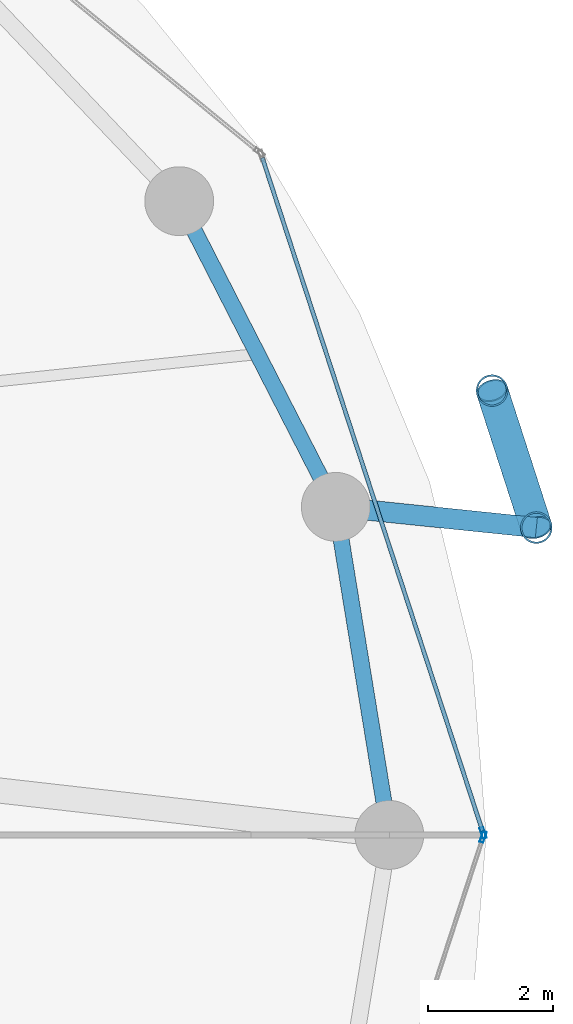
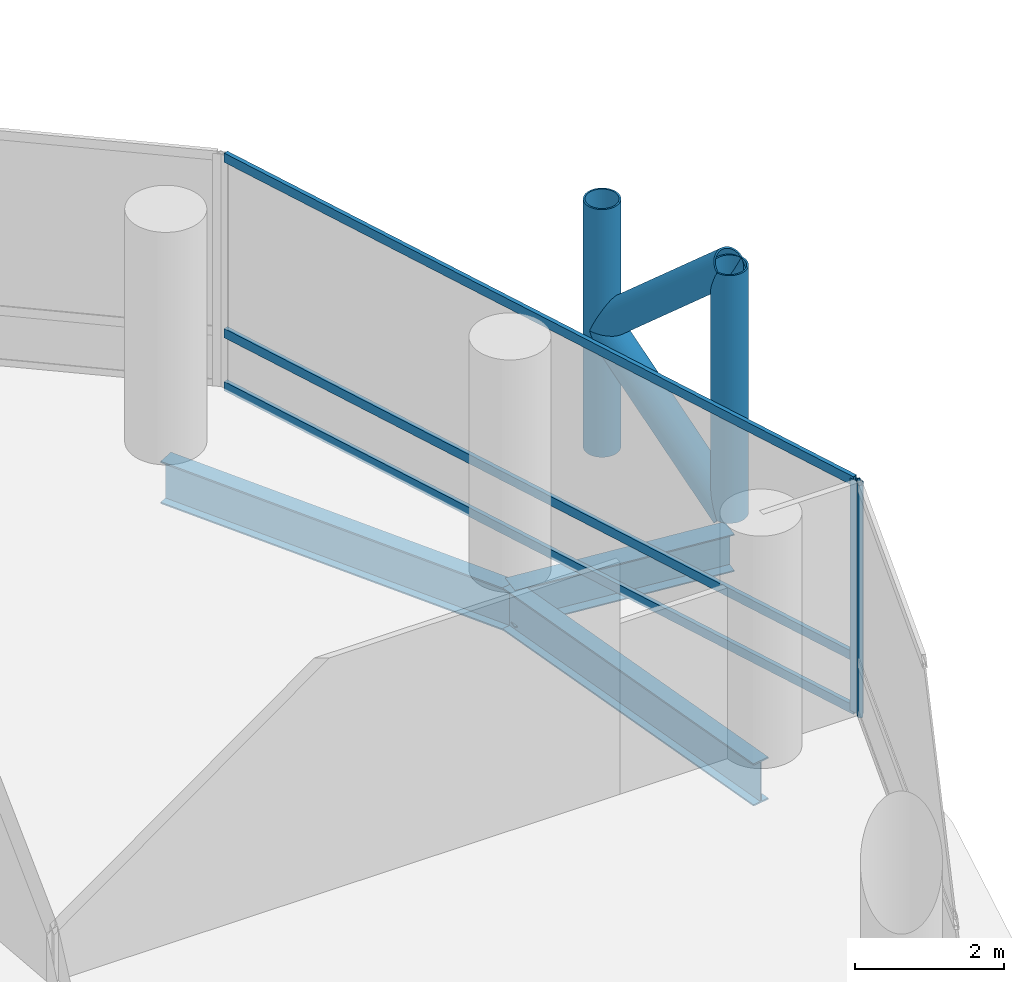
# One storey, part 12 of 25: 9 members, 3 beams, 2 elements without a shape of their own.
"""IFC4 building model written with IfcOpenShell, lengths in metres."""

from ifc_helpers import new_model, si_unit, direction, frame, origin, origin_2d, place, context, subcontext, project, spatial, hollow_rectangle, hollow_circle, i_section, extrude, material, layer, layer_set, material_profile, profile_set, type_object, element, aggregate, save


model = new_model("IFC4")

# Units and contexts
model_context = context("Model", 3, precision=1e-05, world=origin(), true_north=direction((0.0, 1.0)))
body_context = subcontext(model_context, "Body", "Model", "MODEL_VIEW")
ifc_project = project(units=[si_unit("LENGTHUNIT", "METRE"), si_unit("AREAUNIT", "SQUARE_METRE"), si_unit("VOLUMEUNIT", "CUBIC_METRE"), si_unit("PLANEANGLEUNIT", "RADIAN"), si_unit("MASSUNIT", "GRAM", prefix="KILO")], contexts=[model_context])

# Site, building, storey
site_placement = place(None, origin())
site = spatial("IfcSite", under=ifc_project, at=site_placement, CompositionType="ELEMENT")
building_placement = place(site_placement, origin())
building = spatial("IfcBuilding", under=site, at=building_placement, Name="Nuhasar Tower", CompositionType="ELEMENT")
storey_placement = place(building_placement, frame((0.0, 0.0, 65.550048828125)))
storey = spatial("IfcBuildingStorey", under=building, at=storey_placement, Name="L15", CompositionType="ELEMENT", Elevation=65.550048828125)

# Beams
ifc_material_1 = material(Name="Steel S355", Category="steel")
ifc_material_profile_1 = material_profile(ifc_material_1, i_section(OverallWidth=0.256103515625, OverallDepth=0.693115234375, WebThickness=0.014404296875, FlangeThickness=0.023681640625, at=origin_2d()), Name="W27X114")
ifc_profile_set_1 = profile_set([ifc_material_profile_1], Name="Steel S355")
beam_type_1 = type_object("IfcBeamType", Name="BM-RING-W27X114", PredefinedType="SPANDREL", material=ifc_profile_set_1)
beam_1_placement = place(storey_placement, frame((64.050048828125, 26.800048828125, -0.59716796875), z_axis=(-0.160826635486, 0.986982671235, 0.0), x_axis=(-0.986982671235, -0.160826635486, 0.0)))
element("IfcBeam", 1, at=beam_1_placement, inside=storey, type_object=beam_type_1, Name="L15 Perimeter Ring Spandrel 01", PredefinedType="SPANDREL", context=body_context, shape_type="SweptSolid", body=[
    extrude(i_section(OverallWidth=0.256103515625, OverallDepth=0.693115234375, WebThickness=0.014404296875, FlangeThickness=0.023681640625, at=origin_2d()), origin(), (0.0, 0.0, 1.0), 5.31005859375),
])
beam_2_placement = place(storey_placement, frame((63.196044921875, 32.041015625, -0.59716796875), z_axis=(-0.455930023905, 0.890015625314, 0.0), x_axis=(-0.890015625314, -0.455930023905, 0.0)))
element("IfcBeam", 2, at=beam_2_placement, inside=storey, type_object=beam_type_1, Name="L15 Perimeter Ring Spandrel 02", PredefinedType="SPANDREL", context=body_context, shape_type="SweptSolid", body=[
    extrude(i_section(OverallWidth=0.256103515625, OverallDepth=0.693115234375, WebThickness=0.014404296875, FlangeThickness=0.023681640625, at=origin_2d()), origin(), (0.0, 0.0, 1.0), 5.487548828125),
])
ifc_material_profile_2 = material_profile(ifc_material_1, i_section(OverallWidth=0.323974609375, OverallDepth=0.611083984375, WebThickness=0.0126953125, FlangeThickness=0.01904296875, at=origin_2d()), Name="W24X104")
ifc_profile_set_2 = profile_set([ifc_material_profile_2], Name="Steel S355")
beam_type_2 = type_object("IfcBeamType", Name="BM-TIE-W24X104", PredefinedType="BEAM", material=ifc_profile_set_2)
beam_3_placement = place(storey_placement, frame((63.196044921875, 32.041015625, -0.554931640625), z_axis=(0.994703825606, -0.102782777377, 0.0), x_axis=(0.102782777377, 0.994703825606, 0.0)))
element("IfcBeam", 3, at=beam_3_placement, inside=storey, type_object=beam_type_2, Name="L15 Exoskeleton Node Tie Beam 01", PredefinedType="BEAM", context=body_context, shape_type="SweptSolid", body=[
    extrude(i_section(OverallWidth=0.323974609375, OverallDepth=0.611083984375, WebThickness=0.0126953125, FlangeThickness=0.01904296875, at=origin_2d()), origin(), (0.0, 0.0, 1.0), 3.220947265625),
])

# Curtain wall, member
ifc_material_2 = material(Name="Aluminium 6063-T6", Category="aluminium")
ifc_layer = layer(ifc_material_2, 0.199951171875)
ifc_layer_set = layer_set([ifc_layer], Name="Aluminium 6063-T6")
curtain_wall_type = type_object("IfcCurtainWallType", Name="CW-Z1-OFF", PredefinedType="NOTDEFINED", material=ifc_layer_set)
curtain_wall_1_placement = place(storey_placement, origin())
curtain_wall_1 = element("IfcCurtainWall", 4, at=curtain_wall_1_placement, inside=storey, type_object=curtain_wall_type, Name="L15 Unitised Curtain Wall 01", PredefinedType="NOTDEFINED")
ifc_material_profile_3 = material_profile(ifc_material_2, hollow_rectangle(XDim=0.06494140625, YDim=0.179931640625, WallThickness=0.0048828125, at=origin_2d()), Name="CWM-2")
ifc_profile_set_3 = profile_set([ifc_material_profile_3], Name="Aluminium 6063-T6")
member_type_1 = type_object("IfcMemberType", Name="CW-MUL-S2", PredefinedType="MULLION", material=ifc_profile_set_3)
member_1_placement = place(storey_placement, frame((65.5498046875, 26.830810546875, 0.0), z_axis=(0.0, 0.0, 1.0), x_axis=(-0.950467534571, -0.310823849997, 0.0)))
member_1 = element("IfcMember", 5, at=member_1_placement, type_object=member_type_1, Name="CW-Z1 mullion 1", PredefinedType="MULLION", context=body_context, shape_type="SweptSolid", body=[
    extrude(hollow_rectangle(XDim=0.06494140625, YDim=0.179931640625, WallThickness=0.0048828125, at=origin_2d()), origin(), (0.0, 0.0, 1.0), 3.800048828125),
])

curtain_wall_2_placement = place(storey_placement, origin())
curtain_wall_2 = element("IfcCurtainWall", 6, at=curtain_wall_2_placement, inside=storey, type_object=curtain_wall_type, Name="L15 Unitised Curtain Wall 12", PredefinedType="NOTDEFINED")
member_2_placement = place(storey_placement, frame((65.5498046875, 26.76904296875, 0.0), z_axis=(0.0, 0.0, 1.0), x_axis=(-0.950467534571, 0.310823849997, 0.0)))
member_2 = element("IfcMember", 7, at=member_2_placement, type_object=member_type_1, Name="CW-Z1 mullion 2", PredefinedType="MULLION", context=body_context, shape_type="SweptSolid", body=[
    extrude(hollow_rectangle(XDim=0.06494140625, YDim=0.179931640625, WallThickness=0.0048828125, at=origin_2d()), origin(), (0.0, 0.0, 1.0), 3.800048828125),
])
aggregate(curtain_wall_2, [member_2])

# Member
ifc_material_profile_4 = material_profile(ifc_material_2, hollow_rectangle(XDim=0.06494140625, YDim=0.14990234375, WallThickness=0.00439453125, at=origin_2d()), Name="CWT-2")
ifc_profile_set_4 = profile_set([ifc_material_profile_4], Name="Aluminium 6063-T6")
member_type_2 = type_object("IfcMemberType", Name="CW-TRN-S2", PredefinedType="USERDEFINED", material=ifc_profile_set_4)
member_3_placement = place(storey_placement, frame((65.539794921875, 26.86181640625, 0.032470703125), z_axis=(-0.31082506089, 0.950467138581, 0.0), x_axis=(-0.950467138581, -0.31082506089, 0.0)))
member_3 = element("IfcMember", 8, at=member_3_placement, type_object=member_type_2, Name="CW-Z1 transom 1.1", ObjectType="TRANSOM", PredefinedType="USERDEFINED", context=body_context, shape_type="SweptSolid", body=[
    extrude(hollow_rectangle(XDim=0.06494140625, YDim=0.14990234375, WallThickness=0.00439453125, at=origin_2d()), origin(), (0.0, 0.0, 1.0), 11.31689453125),
])

member_4_placement = place(storey_placement, frame((65.539794921875, 26.86181640625, 0.89990234375), z_axis=(-0.31082506089, 0.950467138581, 0.0), x_axis=(-0.950467138581, -0.31082506089, 0.0)))
member_4 = element("IfcMember", 9, at=member_4_placement, type_object=member_type_2, Name="CW-Z1 transom 1.2", ObjectType="TRANSOM", PredefinedType="USERDEFINED", context=body_context, shape_type="SweptSolid", body=[
    extrude(hollow_rectangle(XDim=0.06494140625, YDim=0.14990234375, WallThickness=0.00439453125, at=origin_2d()), origin(), (0.0, 0.0, 1.0), 11.31689453125),
])

member_5_placement = place(storey_placement, frame((65.539794921875, 26.86181640625, 3.767333984375), z_axis=(-0.31082506089, 0.950467138581, 0.0), x_axis=(-0.950467138581, -0.31082506089, 0.0)))
member_5 = element("IfcMember", 10, at=member_5_placement, type_object=member_type_2, Name="CW-Z1 transom 1.3", ObjectType="TRANSOM", PredefinedType="USERDEFINED", context=body_context, shape_type="SweptSolid", body=[
    extrude(hollow_rectangle(XDim=0.06494140625, YDim=0.14990234375, WallThickness=0.00439453125, at=origin_2d()), origin(), (0.0, 0.0, 1.0), 11.31689453125),
])

aggregate(curtain_wall_1, [member_1, member_3, member_4, member_5])

# Members
ifc_material_3 = material(Name="Steel S460", Category="steel")
ifc_material_profile_5 = material_profile(ifc_material_3, hollow_circle(Radius=0.25390625, WallThickness=0.025390625, at=origin_2d()), Name="HSS508X25.4")
ifc_profile_set_5 = profile_set([ifc_material_profile_5], Name="Steel S460")
member_type_3 = type_object("IfcMemberType", Name="EXO-BRONZE-508", PredefinedType="BRACE", material=ifc_profile_set_5)
for number, where, z_axis, x_axis, name in (
    (11, (66.39990234375, 31.7099609375, 0.0), (0.0, 0.0, 1.0), (1.0, 0.0, 0.0), "L15 Exoskeleton Chord Column EC-01A"),
    (12, (65.69189453125, 33.89892578125, 0.0), (0.0, 0.0, 1.0), (1.0, 0.0, 0.0), "L15 Exoskeleton Chord Column EC-01B"),
):
    element("IfcMember", number, at=place(storey_placement, frame(where, z_axis=z_axis, x_axis=x_axis)), inside=storey, type_object=member_type_3, Name=name, PredefinedType="BRACE", context=body_context, shape_type="SweptSolid", body=[
        extrude(hollow_circle(Radius=0.25390625, WallThickness=0.025390625, at=origin_2d()), origin(), (0.0, 0.0, 1.0), 4.050048828125),
    ])
member_6_placement = place(storey_placement, frame((66.39990234375, 31.7099609375, 0.0), z_axis=(-0.231011836313, 0.714224870475, 0.660693851854), x_axis=(-0.951468282519, -0.307746823478, 0.0)))
element("IfcMember", 13, at=member_6_placement, inside=storey, type_object=member_type_3, Name="L15 Bronze Diagrid Brace W1-01", PredefinedType="BRACE", context=body_context, shape_type="SweptSolid", body=[
    extrude(hollow_circle(Radius=0.25390625, WallThickness=0.025390625, at=origin_2d()), origin(), (0.0, 0.0, 1.0), 3.064697265625),
])
member_7_placement = place(storey_placement, frame((65.69189453125, 33.89892578125, 2.02490234375), z_axis=(0.230999678299, -0.714187281251, 0.660738734997), x_axis=(0.951468282519, 0.307746823478, 0.0)))
element("IfcMember", 14, at=member_7_placement, inside=storey, type_object=member_type_3, Name="L15 Bronze Diagrid Brace W2-01", PredefinedType="BRACE", context=body_context, shape_type="SweptSolid", body=[
    extrude(hollow_circle(Radius=0.25390625, WallThickness=0.025390625, at=origin_2d()), origin(), (0.0, 0.0, 1.0), 3.06494140625),
])

save(model, "model.ifc")
